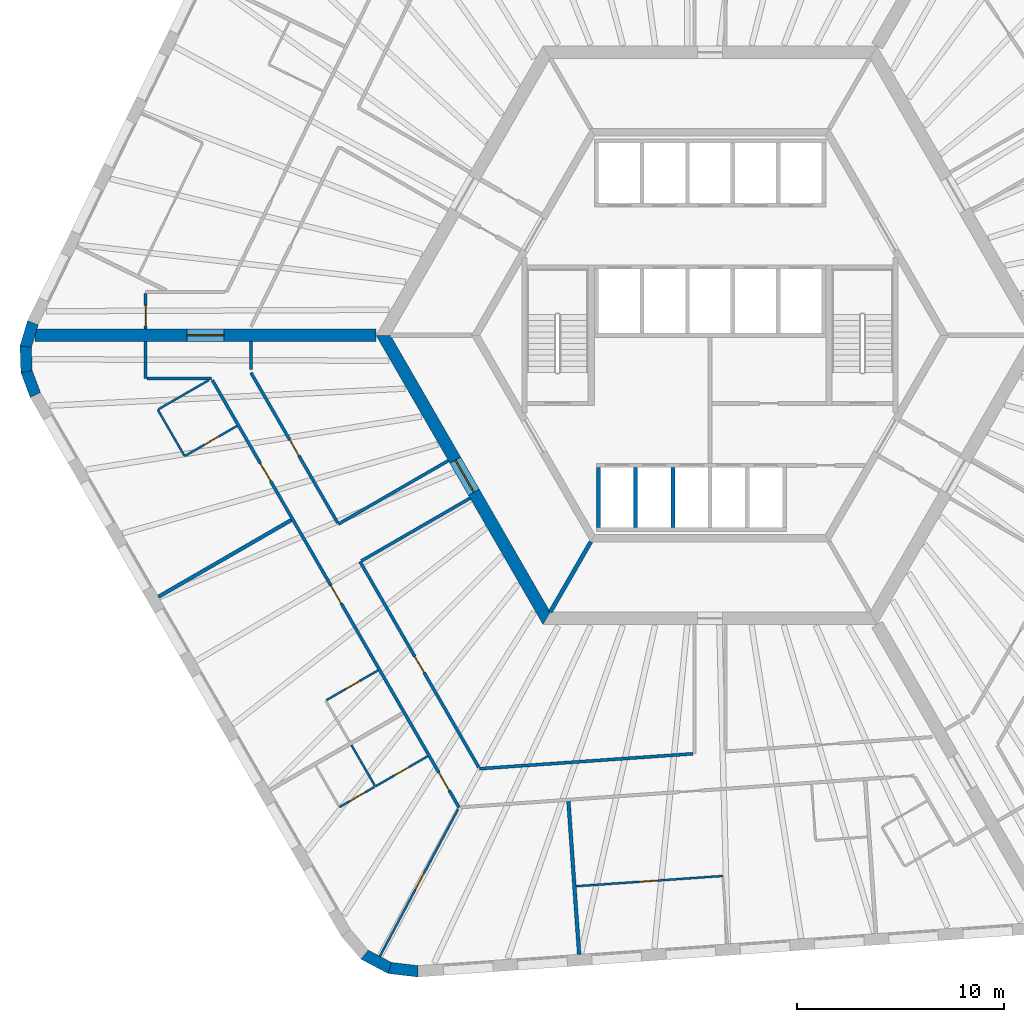
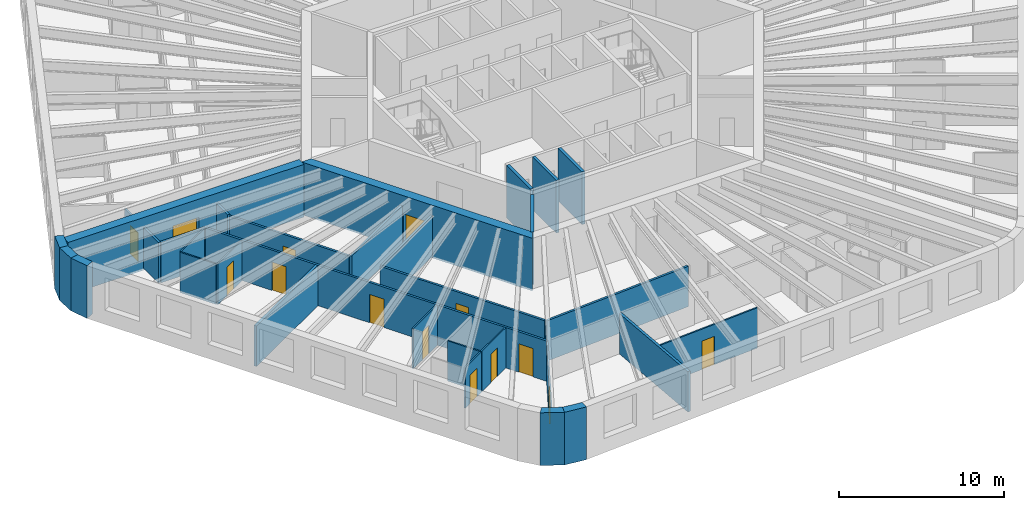
# One storey, part 3 of 12: 32 walls, 14 doors, 14 openings.
"""IFC4 building model written with IfcOpenShell, lengths in metres."""

from ifc_helpers import new_model, si_unit, direction, frame, frame_2d, origin, place, context, subcontext, project, spatial, polyline, rectangle, outline, extrude, material, layer, layer_set, type_object, element, fill, save


model = new_model("IFC4")

# Units and contexts
model_context = context("Model", 3, precision=1e-05, world=origin(), true_north=direction((0.0, 1.0)))
body_context = subcontext(model_context, "Body", "Model", "MODEL_VIEW")
ifc_project = project(units=[si_unit("LENGTHUNIT", "METRE"), si_unit("AREAUNIT", "SQUARE_METRE"), si_unit("VOLUMEUNIT", "CUBIC_METRE"), si_unit("PLANEANGLEUNIT", "RADIAN"), si_unit("MASSUNIT", "GRAM", prefix="KILO")], contexts=[model_context])

# Site, building, storey
site_placement = place(None, origin())
site = spatial("IfcSite", under=ifc_project, at=site_placement, CompositionType="ELEMENT")
building_placement = place(site_placement, origin())
building = spatial("IfcBuilding", under=site, at=building_placement, Name="Tarnside Tower", CompositionType="ELEMENT")
storey_placement = place(building_placement, frame((0.0, 0.0, 119.39990234375)))
storey = spatial("IfcBuildingStorey", under=building, at=storey_placement, Name="L27", CompositionType="ELEMENT", Elevation=119.39990234375)

# Wall, opening, door
ifc_material_1 = material(Name="Gypsum board partition on steel studs", Category="steel")
ifc_layer_1 = layer(ifc_material_1, 0.10009765625)
ifc_layer_set_1 = layer_set([ifc_layer_1], Name="Bathroom wall 100")
wall_type_1 = type_object("IfcWallType", Name="Bathroom wall 100", PredefinedType="PARTITIONING", material=ifc_layer_set_1)
wall_1_placement = place(storey_placement, frame((-22.898193359375, -4.38916015625, 0.0), z_axis=(0.0, 0.0, 1.0), x_axis=(-0.866046596414, -0.499963291492, 0.0)))
wall_1 = element("IfcWall", 1, at=wall_1_placement, inside=storey, type_object=wall_type_1, Name="Bathroom wall 08100", PredefinedType="PARTITIONING", context=body_context, shape_type="SweptSolid", body=[
    extrude(rectangle(XDim=2.925048828125, YDim=0.10009765625, at=frame_2d((1.46240234375, 0.0))), origin(), (0.0, 0.0, 1.0), 2.98779296875),
])
opening_1_placement = place(wall_1_placement, frame((1.02490234375, 0.0, 0.0)))
opening_1 = element("IfcOpeningElement", 2, at=opening_1_placement, cuts=wall_1, Name="Opening D-B1", PredefinedType="OPENING", context=body_context, shape_type="SweptSolid", body=[
    extrude(rectangle(XDim=0.800048828125, YDim=2.10009765625, at=frame_2d((0.39990234375, 1.050048828125))), frame((0.0, 0.06005859375, 0.0), z_axis=(0.0, -1.0, 0.0), x_axis=(1.0, 0.0, 0.0)), (0.0, 0.0, 1.0), 0.1201171875),
])
ifc_material_2 = material(Name="Timber door leaf", Category="wood")
door_type_1 = type_object("IfcDoorType", Name="Bathroom door 800", OperationType="NOTDEFINED", PredefinedType="DOOR", material=ifc_material_2)
door_1_placement = place(opening_1_placement, origin())
door_1 = element("IfcDoor", 3, at=door_1_placement, inside=storey, type_object=door_type_1, Name="Bathroom door 08016", OperationType="SINGLE_SWING_RIGHT", OverallHeight=2.10009765625, OverallWidth=0.800048828125, PredefinedType="DOOR", context=body_context, shape_type="SweptSolid", body=[
    extrude(rectangle(XDim=0.800048828125, YDim=2.10009765625, at=frame_2d((0.39990234375, 1.050048828125))), frame((0.0, 0.02490234375, 0.0), z_axis=(0.0, -1.0, 0.0), x_axis=(1.0, 0.0, 0.0)), (0.0, 0.0, 1.0), 0.050048828125),
])
fill(opening_1, door_1)

# Walls
wall_2_placement = place(storey_placement, frame((-25.456298828125, -5.808349609375, 0.0), z_axis=(0.0, 0.0, 1.0), x_axis=(-0.499990435942, 0.866030925526, 0.0)))
element("IfcWall", 4, at=wall_2_placement, inside=storey, type_object=wall_type_1, Name="Bathroom wall 08101", PredefinedType="PARTITIONING", context=body_context, shape_type="SweptSolid", body=[
    extrude(rectangle(XDim=2.5498046875, YDim=0.10009765625, at=frame_2d((1.27490234375, 0.0))), origin(), (0.0, 0.0, 1.0), 2.98779296875),
])
wall_3_placement = place(storey_placement, frame((-26.68798828125, -3.574951171875, 0.0), z_axis=(0.0, 0.0, 1.0), x_axis=(0.866034573852, 0.49998411664, 0.0)))
element("IfcWall", 5, at=wall_3_placement, inside=storey, type_object=wall_type_1, Name="Bathroom wall 08102", PredefinedType="PARTITIONING", context=body_context, shape_type="SweptSolid", body=[
    extrude(rectangle(XDim=2.7998046875, YDim=0.10009765625, at=frame_2d((1.39990234375, 0.0))), origin(), (0.0, 0.0, 1.0), 2.98779296875),
])

# Wall, opening, door
wall_4_placement = place(storey_placement, frame((-18.55859375, -17.65576171875, 0.0), z_axis=(0.0, 0.0, 1.0), x_axis=(0.866039941686, 0.499974818771, 0.0)))
wall_4 = element("IfcWall", 6, at=wall_4_placement, inside=storey, type_object=wall_type_1, Name="Bathroom wall 08105", PredefinedType="PARTITIONING", context=body_context, shape_type="SweptSolid", body=[
    extrude(rectangle(XDim=2.875244140625, YDim=0.10009765625, at=frame_2d((1.4375, 0.0))), origin(), (0.0, 0.0, 1.0), 2.98779296875),
])
opening_2_placement = place(wall_4_placement, frame((1.050048828125, 0.0, 0.0)))
opening_2 = element("IfcOpeningElement", 7, at=opening_2_placement, cuts=wall_4, Name="Opening D-B1", PredefinedType="OPENING", context=body_context, shape_type="SweptSolid", body=[
    extrude(rectangle(XDim=0.800048828125, YDim=2.10009765625, at=frame_2d((0.39990234375, 1.050048828125))), frame((0.0, 0.06005859375, 0.0), z_axis=(0.0, -1.0, 0.0), x_axis=(1.0, 0.0, 0.0)), (0.0, 0.0, 1.0), 0.1201171875),
])
door_2_placement = place(opening_2_placement, origin())
door_2 = element("IfcDoor", 8, at=door_2_placement, inside=storey, type_object=door_type_1, Name="Bathroom door 08018", OperationType="SINGLE_SWING_LEFT", OverallHeight=2.10009765625, OverallWidth=0.800048828125, PredefinedType="DOOR", context=body_context, shape_type="SweptSolid", body=[
    extrude(rectangle(XDim=0.800048828125, YDim=2.10009765625, at=frame_2d((0.39990234375, 1.050048828125))), frame((0.0, 0.02490234375, 0.0), z_axis=(0.0, -1.0, 0.0), x_axis=(1.0, 0.0, 0.0)), (0.0, 0.0, 1.0), 0.050048828125),
])
fill(opening_2, door_2)

wall_5_placement = place(storey_placement, frame((-13.668701171875, -20.375244140625, 0.0), z_axis=(0.0, 0.0, 1.0), x_axis=(-0.866046596414, -0.499963291492, 0.0)))
wall_5 = element("IfcWall", 9, at=wall_5_placement, inside=storey, type_object=wall_type_1, Name="Bathroom wall 08109", PredefinedType="PARTITIONING", context=body_context, shape_type="SweptSolid", body=[
    extrude(rectangle(XDim=2.925048828125, YDim=0.10009765625, at=frame_2d((1.46240234375, 0.0))), origin(), (0.0, 0.0, 1.0), 2.98779296875),
])
opening_3_placement = place(wall_5_placement, frame((1.02490234375, 0.0, 0.0)))
opening_3 = element("IfcOpeningElement", 10, at=opening_3_placement, cuts=wall_5, Name="Opening D-B1", PredefinedType="OPENING", context=body_context, shape_type="SweptSolid", body=[
    extrude(rectangle(XDim=0.800048828125, YDim=2.10009765625, at=frame_2d((0.39990234375, 1.050048828125))), frame((0.0, 0.06005859375, 0.0), z_axis=(0.0, -1.0, 0.0), x_axis=(1.0, 0.0, 0.0)), (0.0, 0.0, 1.0), 0.1201171875),
])
door_3_placement = place(opening_3_placement, origin())
door_3 = element("IfcDoor", 11, at=door_3_placement, inside=storey, type_object=door_type_1, Name="Bathroom door 08020", OperationType="SINGLE_SWING_RIGHT", OverallHeight=2.10009765625, OverallWidth=0.800048828125, PredefinedType="DOOR", context=body_context, shape_type="SweptSolid", body=[
    extrude(rectangle(XDim=0.800048828125, YDim=2.10009765625, at=frame_2d((0.39990234375, 1.050048828125))), frame((0.0, 0.02490234375, 0.0), z_axis=(0.0, -1.0, 0.0), x_axis=(1.0, 0.0, 0.0)), (0.0, 0.0, 1.0), 0.050048828125),
])
fill(opening_3, door_3)

# Wall
wall_6_placement = place(storey_placement, frame((-17.356689453125, -19.837158203125, 0.0), z_axis=(0.0, 0.0, 1.0), x_axis=(0.49995000081, -0.866054268906, 0.0)))
element("IfcWall", 12, at=wall_6_placement, inside=storey, type_object=wall_type_1, Name="Bathroom wall 08113", PredefinedType="PARTITIONING", context=body_context, shape_type="SweptSolid", body=[
    extrude(rectangle(XDim=2.260009765625, YDim=0.10009765625, at=frame_2d((1.1298828125, 0.0))), origin(), (0.0, 0.0, 1.0), 2.98779296875),
])

# Wall, opening, door
ifc_material_3 = material(Name="Concrete C80/95", Category="concrete")
ifc_layer_2 = layer(ifc_material_3, 0.60009765625)
ifc_layer_set_2 = layer_set([ifc_layer_2], Name="Core wall Z1 600 C80/95")
wall_type_2 = type_object("IfcWallType", Name="Core wall Z1 600 C80/95", PredefinedType="SHEAR", material=ifc_layer_set_2)
wall_7_placement = place(storey_placement, frame((-15.8193359375, 0.0, -0.14990234375), z_axis=(0.0, 0.0, 1.0), x_axis=(0.499999880136, -0.866025472988, 0.0)))
wall_7 = element("IfcWall", 13, at=wall_7_placement, inside=storey, type_object=wall_type_2, Name="L27 core wall face 3", PredefinedType="SHEAR", context=body_context, shape_type="SweptSolid", body=[
    extrude(outline(polyline([(-0.17333984375, -0.300048828125), (15.99267578125, -0.300048828125), (15.64599609375, 0.300048828125), (0.17333984375, 0.300048828125), (-0.17333984375, -0.300048828125)])), origin(), (0.0, 0.0, 1.0), 3.89990234375),
])
opening_4_placement = place(wall_7_placement, frame((6.980712890625, 0.0, 0.14990234375)))
opening_4 = element("IfcOpeningElement", 14, at=opening_4_placement, cuts=wall_7, Name="Opening CD-FFL", PredefinedType="OPENING", context=body_context, shape_type="SweptSolid", body=[
    extrude(rectangle(XDim=1.800048828125, YDim=2.39990234375, at=frame_2d((0.89990234375, 1.199951171875))), frame((0.0, 0.31005859375, 0.0), z_axis=(0.0, -1.0, 0.0), x_axis=(1.0, 0.0, 0.0)), (0.0, 0.0, 1.0), 0.6201171875),
])
ifc_material_4 = material(Name="Steel fire door", Category="steel")
door_type_2 = type_object("IfcDoorType", Name="Firefighting lobby double door FD60S 1800x2400", OperationType="NOTDEFINED", PredefinedType="DOOR", material=ifc_material_4)
door_4_placement = place(opening_4_placement, origin())
door_4 = element("IfcDoor", 15, at=door_4_placement, inside=storey, type_object=door_type_2, Name="L27 core door P3", OperationType="DOUBLE_DOOR_SINGLE_SWING", OverallHeight=2.39990234375, OverallWidth=1.800048828125, PredefinedType="DOOR", context=body_context, shape_type="SweptSolid", body=[
    extrude(rectangle(XDim=1.800048828125, YDim=2.39990234375, at=frame_2d((0.89990234375, 1.199951171875))), frame((0.0, 0.02490234375, 0.0), z_axis=(0.0, -1.0, 0.0), x_axis=(1.0, 0.0, 0.0)), (0.0, 0.0, 1.0), 0.050048828125),
])
fill(opening_4, door_4)

wall_8_placement = place(storey_placement, frame((-16.165771484375, 0.0, -0.14990234375), z_axis=(0.0, 0.0, 1.0), x_axis=(-1.0, 0.0, 0.0)))
wall_8 = element("IfcWall", 16, at=wall_8_placement, inside=storey, type_object=wall_type_2, Name="L27 spine wall 2", PredefinedType="SHEAR", context=body_context, shape_type="SweptSolid", body=[
    extrude(rectangle(XDim=16.509033203125, YDim=0.60009765625, at=frame_2d((8.25439453125, 0.0))), origin(), (0.0, 0.0, 1.0), 3.89990234375),
])
opening_5_placement = place(wall_8_placement, frame((7.3544921875, 0.0, 0.14990234375)))
opening_5 = element("IfcOpeningElement", 17, at=opening_5_placement, cuts=wall_8, Name="Opening CD-SPN", PredefinedType="OPENING", context=body_context, shape_type="SweptSolid", body=[
    extrude(rectangle(XDim=1.800048828125, YDim=2.39990234375, at=frame_2d((0.89990234375, 1.199951171875))), frame((0.0, 0.31005859375, 0.0), z_axis=(0.0, -1.0, 0.0), x_axis=(1.0, 0.0, 0.0)), (0.0, 0.0, 1.0), 0.6201171875),
])
door_type_3 = type_object("IfcDoorType", Name="Spine passage double door FD60 1800x2400", OperationType="NOTDEFINED", PredefinedType="DOOR", material=ifc_material_4)
door_5_placement = place(opening_5_placement, origin())
door_5 = element("IfcDoor", 18, at=door_5_placement, inside=storey, type_object=door_type_3, Name="L27 spine passage door 2", OperationType="DOUBLE_DOOR_SINGLE_SWING", OverallHeight=2.39990234375, OverallWidth=1.800048828125, PredefinedType="DOOR", context=body_context, shape_type="SweptSolid", body=[
    extrude(rectangle(XDim=1.800048828125, YDim=2.39990234375, at=frame_2d((0.89990234375, 1.199951171875))), frame((0.0, 0.02490234375, 0.0), z_axis=(0.0, -1.0, 0.0), x_axis=(1.0, 0.0, 0.0)), (0.0, 0.0, 1.0), 0.050048828125),
])
fill(opening_5, door_5)

ifc_layer_3 = layer(ifc_material_1, 0.14990234375)
ifc_layer_set_3 = layer_set([ifc_layer_3], Name="Corridor wall 150 EI 60")
wall_type_3 = type_object("IfcWallType", Name="Corridor wall 150 EI 60", PredefinedType="PARTITIONING", material=ifc_layer_set_3)
wall_9_placement = place(storey_placement, frame((-27.3203125, 2.02490234375, 0.0), z_axis=(0.0, 0.0, 1.0), x_axis=(0.0, -1.0, 0.0)))
wall_9 = element("IfcWall", 19, at=wall_9_placement, inside=storey, type_object=wall_type_3, Name="Corridor wall 08015", PredefinedType="PARTITIONING", context=body_context, shape_type="SweptSolid", body=[
    extrude(rectangle(XDim=1.724853515625, YDim=0.14990234375, at=frame_2d((0.8623046875, 0.0))), origin(), (0.0, 0.0, 1.0), 2.98779296875),
])
opening_6_placement = place(wall_9_placement, frame((0.574951171875, 0.0, 0.0)))
opening_6 = element("IfcOpeningElement", 20, at=opening_6_placement, cuts=wall_9, Name="Opening D-E1", PredefinedType="OPENING", context=body_context, shape_type="SweptSolid", body=[
    extrude(rectangle(XDim=1.0, YDim=2.10009765625, at=frame_2d((0.5, 1.050048828125))), frame((0.0, 0.0849609375, 0.0), z_axis=(0.0, -1.0, 0.0), x_axis=(1.0, 0.0, 0.0)), (0.0, 0.0, 1.0), 0.169921875),
])
door_type_4 = type_object("IfcDoorType", Name="Unit entrance door 1000 FD30S", OperationType="NOTDEFINED", PredefinedType="DOOR", material=ifc_material_2)
door_6_placement = place(opening_6_placement, origin())
door_6 = element("IfcDoor", 21, at=door_6_placement, inside=storey, type_object=door_type_4, Name="Unit door 08014", OperationType="SINGLE_SWING_LEFT", OverallHeight=2.10009765625, OverallWidth=1.0, PredefinedType="DOOR", context=body_context, shape_type="SweptSolid", body=[
    extrude(rectangle(XDim=1.0, YDim=2.10009765625, at=frame_2d((0.5, 1.050048828125))), frame((0.0, 0.02490234375, 0.0), z_axis=(0.0, -1.0, 0.0), x_axis=(1.0, 0.0, 0.0)), (0.0, 0.0, 1.0), 0.050048828125),
])
fill(opening_6, door_6)

# Walls
wall_10_placement = place(storey_placement, frame((-27.3203125, -0.300048828125, 0.0), z_axis=(0.0, 0.0, 1.0), x_axis=(0.0, -1.0, 0.0)))
element("IfcWall", 22, at=wall_10_placement, inside=storey, type_object=wall_type_3, Name="Corridor wall 08025", PredefinedType="PARTITIONING", context=body_context, shape_type="SweptSolid", body=[
    extrude(rectangle(XDim=1.800048828125, YDim=0.14990234375, at=frame_2d((0.89990234375, 0.0))), origin(), (0.0, 0.0, 1.0), 2.98779296875),
])
wall_11_placement = place(storey_placement, frame((-27.245361328125, -2.10009765625, 0.0), z_axis=(0.0, 0.0, 1.0), x_axis=(1.0, 0.0, 0.0)))
element("IfcWall", 23, at=wall_11_placement, inside=storey, type_object=wall_type_3, Name="Corridor wall 08026", PredefinedType="PARTITIONING", context=body_context, shape_type="SweptSolid", body=[
    extrude(rectangle(XDim=3.112060546875, YDim=0.14990234375, at=frame_2d((1.55615234375, 0.0))), origin(), (0.0, 0.0, 1.0), 2.98779296875),
])

# Wall, openings, doors
wall_12_placement = place(storey_placement, frame((-24.08984375, -2.175048828125, 0.0), z_axis=(0.0, 0.0, 1.0), x_axis=(0.499996832073, -0.86602723278, 0.0)))
wall_12 = element("IfcWall", 24, at=wall_12_placement, inside=storey, type_object=wall_type_3, Name="Corridor wall 08027", PredefinedType="PARTITIONING", context=body_context, shape_type="SweptSolid", body=[
    extrude(rectangle(XDim=23.877197265625, YDim=0.14990234375, at=frame_2d((11.9384765625, 0.0))), origin(), (0.0, 0.0, 1.0), 2.98779296875),
])
opening_7_placement = place(wall_12_placement, frame((4.642822265625, 0.0, 0.0)))
opening_7 = element("IfcOpeningElement", 25, at=opening_7_placement, cuts=wall_12, Name="Opening D-E1", PredefinedType="OPENING", context=body_context, shape_type="SweptSolid", body=[
    extrude(rectangle(XDim=1.0, YDim=2.10009765625, at=frame_2d((0.5, 1.050048828125))), frame((0.0, 0.0849609375, 0.0), z_axis=(0.0, -1.0, 0.0), x_axis=(1.0, 0.0, 0.0)), (0.0, 0.0, 1.0), 0.169921875),
])
opening_8_placement = place(wall_12_placement, frame((11.472412109375, 0.0, 0.0)))
opening_8 = element("IfcOpeningElement", 26, at=opening_8_placement, cuts=wall_12, Name="Opening D-E1", PredefinedType="OPENING", context=body_context, shape_type="SweptSolid", body=[
    extrude(rectangle(XDim=1.0, YDim=2.10009765625, at=frame_2d((0.5, 1.050048828125))), frame((0.0, 0.0849609375, 0.0), z_axis=(0.0, -1.0, 0.0), x_axis=(1.0, 0.0, 0.0)), (0.0, 0.0, 1.0), 0.169921875),
])
opening_9_placement = place(wall_12_placement, frame((21.9248046875, 0.0, 0.0)))
opening_9 = element("IfcOpeningElement", 27, at=opening_9_placement, cuts=wall_12, Name="Opening D-E1", PredefinedType="OPENING", context=body_context, shape_type="SweptSolid", body=[
    extrude(rectangle(XDim=1.0, YDim=2.10009765625, at=frame_2d((0.5, 1.050048828125))), frame((0.0, 0.0849609375, 0.0), z_axis=(0.0, -1.0, 0.0), x_axis=(1.0, 0.0, 0.0)), (0.0, 0.0, 1.0), 0.169921875),
])
door_7_placement = place(opening_7_placement, origin())
door_7 = element("IfcDoor", 28, at=door_7_placement, inside=storey, type_object=door_type_4, Name="Unit door 08015", OperationType="SINGLE_SWING_RIGHT", OverallHeight=2.10009765625, OverallWidth=1.0, PredefinedType="DOOR", context=body_context, shape_type="SweptSolid", body=[
    extrude(rectangle(XDim=1.0, YDim=2.10009765625, at=frame_2d((0.5, 1.050048828125))), frame((0.0, 0.02490234375, 0.0), z_axis=(0.0, -1.0, 0.0), x_axis=(1.0, 0.0, 0.0)), (0.0, 0.0, 1.0), 0.050048828125),
])
fill(opening_7, door_7)
door_8_placement = place(opening_8_placement, origin())
door_8 = element("IfcDoor", 29, at=door_8_placement, inside=storey, type_object=door_type_4, Name="Unit door 08017", OperationType="SINGLE_SWING_RIGHT", OverallHeight=2.10009765625, OverallWidth=1.0, PredefinedType="DOOR", context=body_context, shape_type="SweptSolid", body=[
    extrude(rectangle(XDim=1.0, YDim=2.10009765625, at=frame_2d((0.5, 1.050048828125))), frame((0.0, 0.02490234375, 0.0), z_axis=(0.0, -1.0, 0.0), x_axis=(1.0, 0.0, 0.0)), (0.0, 0.0, 1.0), 0.050048828125),
])
fill(opening_8, door_8)
door_9_placement = place(opening_9_placement, origin())
door_9 = element("IfcDoor", 30, at=door_9_placement, inside=storey, type_object=door_type_4, Name="Unit door 08019", OperationType="SINGLE_SWING_RIGHT", OverallHeight=2.10009765625, OverallWidth=1.0, PredefinedType="DOOR", context=body_context, shape_type="SweptSolid", body=[
    extrude(rectangle(XDim=1.0, YDim=2.10009765625, at=frame_2d((0.5, 1.050048828125))), frame((0.0, 0.02490234375, 0.0), z_axis=(0.0, -1.0, 0.0), x_axis=(1.0, 0.0, 0.0)), (0.0, 0.0, 1.0), 0.050048828125),
])
fill(opening_9, door_9)

# Wall
wall_13_placement = place(storey_placement, frame((-12.663818359375, -6.065673828125, 0.0), z_axis=(0.0, 0.0, 1.0), x_axis=(-0.866023618125, -0.500003092839, 0.0)))
element("IfcWall", 31, at=wall_13_placement, inside=storey, type_object=wall_type_3, Name="Corridor wall 08041", PredefinedType="PARTITIONING", context=body_context, shape_type="SweptSolid", body=[
    extrude(rectangle(XDim=6.14990234375, YDim=0.14990234375, at=frame_2d((3.074951171875, 0.0))), origin(), (0.0, 0.0, 1.0), 2.98779296875),
])

# Wall, opening, door
wall_14_placement = place(storey_placement, frame((-18.02734375, -9.07568359375, 0.0), z_axis=(0.0, 0.0, 1.0), x_axis=(-0.500007318041, 0.86602117867, 0.0)))
wall_14 = element("IfcWall", 32, at=wall_14_placement, inside=storey, type_object=wall_type_3, Name="Corridor wall 08042", PredefinedType="PARTITIONING", context=body_context, shape_type="SweptSolid", body=[
    extrude(rectangle(XDim=8.383056640625, YDim=0.14990234375, at=frame_2d((4.19140625, 0.0))), origin(), (0.0, 0.0, 1.0), 2.98779296875),
])
opening_10_placement = place(wall_14_placement, frame((3.74169921875, 0.0, 0.0)))
opening_10 = element("IfcOpeningElement", 33, at=opening_10_placement, cuts=wall_14, Name="Opening D-S1", PredefinedType="OPENING", context=body_context, shape_type="SweptSolid", body=[
    extrude(rectangle(XDim=0.89990234375, YDim=2.10009765625, at=frame_2d((0.449951171875, 1.050048828125))), frame((0.0, 0.0849609375, 0.0), z_axis=(0.0, -1.0, 0.0), x_axis=(1.0, 0.0, 0.0)), (0.0, 0.0, 1.0), 0.169921875),
])
door_type_5 = type_object("IfcDoorType", Name="Service room door 900 FD30S", OperationType="NOTDEFINED", PredefinedType="DOOR", material=ifc_material_2)
door_10_placement = place(opening_10_placement, origin())
door_10 = element("IfcDoor", 34, at=door_10_placement, inside=storey, type_object=door_type_5, Name="Service door 08043", OperationType="SINGLE_SWING_RIGHT", OverallHeight=2.10009765625, OverallWidth=0.89990234375, PredefinedType="DOOR", context=body_context, shape_type="SweptSolid", body=[
    extrude(rectangle(XDim=0.89990234375, YDim=2.10009765625, at=frame_2d((0.449951171875, 1.050048828125))), frame((0.0, 0.02490234375, 0.0), z_axis=(0.0, -1.0, 0.0), x_axis=(1.0, 0.0, 0.0)), (0.0, 0.0, 1.0), 0.050048828125),
])
fill(opening_10, door_10)

# Walls
wall_15_placement = place(storey_placement, frame((-22.218994140625, -1.665771484375, 0.0), z_axis=(0.0, 0.0, 1.0), x_axis=(0.0, 1.0, 0.0)))
element("IfcWall", 35, at=wall_15_placement, inside=storey, type_object=wall_type_3, Name="Corridor wall 08043", PredefinedType="PARTITIONING", context=body_context, shape_type="SweptSolid", body=[
    extrude(rectangle(XDim=1.36572265625, YDim=0.14990234375, at=frame_2d((0.682861328125, 0.0))), origin(), (0.0, 0.0, 1.0), 2.98779296875),
])
wall_16_placement = place(storey_placement, frame((-0.824951171875, -20.2568359375, 0.0), z_axis=(0.0, 0.0, 1.0), x_axis=(-0.9975635143, -0.069764137903, 0.0)))
element("IfcWall", 36, at=wall_16_placement, inside=storey, type_object=wall_type_3, Name="Corridor wall 08045", PredefinedType="PARTITIONING", context=body_context, shape_type="SweptSolid", body=[
    extrude(rectangle(XDim=10.35498046875, YDim=0.14990234375, at=frame_2d((5.177490234375, 0.0))), origin(), (0.0, 0.0, 1.0), 2.98779296875),
])

# Wall, opening, door
wall_17_placement = place(storey_placement, frame((-11.196533203125, -20.906982421875, 0.0), z_axis=(0.0, 0.0, 1.0), x_axis=(-0.500004557924, 0.86602277225, 0.0)))
wall_17 = element("IfcWall", 37, at=wall_17_placement, inside=storey, type_object=wall_type_3, Name="Corridor wall 08046", PredefinedType="PARTITIONING", context=body_context, shape_type="SweptSolid", body=[
    extrude(rectangle(XDim=11.48681640625, YDim=0.14990234375, at=frame_2d((5.743408203125, 0.0))), origin(), (0.0, 0.0, 1.0), 2.98779296875),
])
opening_11_placement = place(wall_17_placement, frame((5.293212890625, 0.0, 0.0)))
opening_11 = element("IfcOpeningElement", 38, at=opening_11_placement, cuts=wall_17, Name="Opening D-S1", PredefinedType="OPENING", context=body_context, shape_type="SweptSolid", body=[
    extrude(rectangle(XDim=0.89990234375, YDim=2.10009765625, at=frame_2d((0.449951171875, 1.050048828125))), frame((0.0, 0.0849609375, 0.0), z_axis=(0.0, -1.0, 0.0), x_axis=(1.0, 0.0, 0.0)), (0.0, 0.0, 1.0), 0.169921875),
])
door_11_placement = place(opening_11_placement, origin())
door_11 = element("IfcDoor", 39, at=door_11_placement, inside=storey, type_object=door_type_5, Name="Service door 08044", OperationType="SINGLE_SWING_RIGHT", OverallHeight=2.10009765625, OverallWidth=0.89990234375, PredefinedType="DOOR", context=body_context, shape_type="SweptSolid", body=[
    extrude(rectangle(XDim=0.89990234375, YDim=2.10009765625, at=frame_2d((0.449951171875, 1.050048828125))), frame((0.0, 0.02490234375, 0.0), z_axis=(0.0, -1.0, 0.0), x_axis=(1.0, 0.0, 0.0)), (0.0, 0.0, 1.0), 0.050048828125),
])
fill(opening_11, door_11)

# Walls
wall_18_placement = place(storey_placement, frame((-16.875, -10.921875, 0.0), z_axis=(0.0, 0.0, 1.0), x_axis=(0.866023634079, 0.500003065207, 0.0)))
element("IfcWall", 40, at=wall_18_placement, inside=storey, type_object=wall_type_3, Name="Corridor wall 08047", PredefinedType="PARTITIONING", context=body_context, shape_type="SweptSolid", body=[
    extrude(rectangle(XDim=6.0751953125, YDim=0.14990234375, at=frame_2d((3.03759765625, 0.0))), origin(), (0.0, 0.0, 1.0), 2.98779296875),
])
ifc_layer_4 = layer(ifc_material_1, 0.179931640625)
ifc_layer_set_4 = layer_set([ifc_layer_4], Name="Demising wall 180 EI 60")
wall_type_4 = type_object("IfcWallType", Name="Demising wall 180 EI 60", PredefinedType="PARTITIONING", material=ifc_layer_set_4)
wall_19_placement = place(storey_placement, frame((-26.698974609375, -12.656005859375, 0.0), z_axis=(0.0, 0.0, 1.0), x_axis=(0.866028983062, 0.499993800457, 0.0)))
element("IfcWall", 41, at=wall_19_placement, inside=storey, type_object=wall_type_4, Name="Demising wall 08103", PredefinedType="PARTITIONING", context=body_context, shape_type="SweptSolid", body=[
    extrude(rectangle(XDim=7.4248046875, YDim=0.179931640625, at=frame_2d((3.71240234375, 0.0))), origin(), (0.0, 0.0, 1.0), 2.98779296875),
])
wall_20_placement = place(storey_placement, frame((-6.336181640625, -29.965087890625, 0.0), z_axis=(0.0, 0.0, 1.0), x_axis=(-0.06977252161, 0.997562927954, 0.0)))
element("IfcWall", 42, at=wall_20_placement, inside=storey, type_object=wall_type_4, Name="Demising wall 08114", PredefinedType="PARTITIONING", context=body_context, shape_type="SweptSolid", body=[
    extrude(rectangle(XDim=7.425048828125, YDim=0.179931640625, at=frame_2d((3.71240234375, 0.0))), origin(), (0.0, 0.0, 1.0), 2.98779296875),
])
ifc_material_5 = material(Name="Concrete C40/50", Category="concrete")
ifc_layer_5 = layer(ifc_material_5, 0.199951171875)
ifc_layer_set_5 = layer_set([ifc_layer_5], Name="Lift shaft wall 200 C40/50")
wall_type_5 = type_object("IfcWallType", Name="Lift shaft wall 200 C40/50", PredefinedType="SHEAR", material=ifc_layer_set_5)
for number, where, z_axis, x_axis, name in (
    (43, (-5.39990234375, -9.300048828125, -0.25), (0.0, 0.0, 1.0), (0.0, 1.0, 0.0), "L27 lift shaft partition R41"),
    (44, (-3.60009765625, -9.300048828125, -0.25), (0.0, 0.0, 1.0), (0.0, 1.0, 0.0), "L27 lift shaft partition R42"),
    (45, (-1.800048828125, -9.300048828125, -0.25), (0.0, 0.0, 1.0), (0.0, 1.0, 0.0), "L27 lift shaft partition R43"),
):
    element("IfcWall", number, at=place(storey_placement, frame(where, z_axis=z_axis, x_axis=x_axis)), inside=storey, type_object=wall_type_5, Name=name, PredefinedType="SHEAR", context=body_context, shape_type="SweptSolid", body=[
        extrude(rectangle(XDim=2.900146484375, YDim=0.199951171875, at=frame_2d((1.4501953125, 0.0))), origin(), (0.0, 0.0, 1.0), 3.900146484375),
    ])
wall_21_placement = place(storey_placement, frame((-5.7734375, -10.0, -0.14990234375), z_axis=(0.0, 0.0, 1.0), x_axis=(-0.500038251005, -0.86600331843, 0.0)))
element("IfcWall", 46, at=wall_21_placement, inside=storey, type_object=wall_type_5, Name="L27 core partition AR240", PredefinedType="SHEAR", context=body_context, shape_type="SweptSolid", body=[
    extrude(rectangle(XDim=3.926025390625, YDim=0.199951171875, at=frame_2d((1.962890625, 0.0))), origin(), (0.0, 0.0, 1.0), 3.89990234375),
])

# Wall, opening, door
ifc_layer_6 = layer(ifc_material_1, 0.10009765625)
ifc_layer_set_6 = layer_set([ifc_layer_6], Name="Partition 100")
wall_type_6 = type_object("IfcWallType", Name="Partition 100", PredefinedType="PARTITIONING", material=ifc_layer_set_6)
wall_22_placement = place(storey_placement, frame((-16.2451171875, -21.862548828125, 0.0), z_axis=(0.0, 0.0, 1.0), x_axis=(-0.866000020948, -0.500043961785, 0.0)))
wall_22 = element("IfcWall", 47, at=wall_22_placement, inside=storey, type_object=wall_type_6, Name="Partition wall 08110", PredefinedType="PARTITIONING", context=body_context, shape_type="SweptSolid", body=[
    extrude(rectangle(XDim=1.949951171875, YDim=0.10009765625, at=frame_2d((0.97509765625, 0.0))), origin(), (0.0, 0.0, 1.0), 2.98779296875),
])
opening_12_placement = place(wall_22_placement, frame((0.5, 0.0, 0.0)))
opening_12 = element("IfcOpeningElement", 48, at=opening_12_placement, cuts=wall_22, Name="Opening D-I1", PredefinedType="OPENING", context=body_context, shape_type="SweptSolid", body=[
    extrude(rectangle(XDim=0.89990234375, YDim=2.10009765625, at=frame_2d((0.449951171875, 1.050048828125))), frame((0.0, 0.06005859375, 0.0), z_axis=(0.0, -1.0, 0.0), x_axis=(1.0, 0.0, 0.0)), (0.0, 0.0, 1.0), 0.1201171875),
])
door_type_6 = type_object("IfcDoorType", Name="Internal door 900", OperationType="NOTDEFINED", PredefinedType="DOOR", material=ifc_material_2)
door_12_placement = place(opening_12_placement, origin())
door_12 = element("IfcDoor", 49, at=door_12_placement, inside=storey, type_object=door_type_6, Name="Internal door 08021", OperationType="SINGLE_SWING_RIGHT", OverallHeight=2.10009765625, OverallWidth=0.89990234375, PredefinedType="DOOR", context=body_context, shape_type="SweptSolid", body=[
    extrude(rectangle(XDim=0.89990234375, YDim=2.10009765625, at=frame_2d((0.449951171875, 1.050048828125))), frame((0.0, 0.02490234375, 0.0), z_axis=(0.0, -1.0, 0.0), x_axis=(1.0, 0.0, 0.0)), (0.0, 0.0, 1.0), 0.050048828125),
])
fill(opening_12, door_12)

wall_23_placement = place(storey_placement, frame((-15.98291015625, -30.059326171875, 0.0), z_axis=(0.0, 0.0, 1.0), x_axis=(0.469476547643, 0.882944942346, 0.0)))
wall_23 = element("IfcWall", 50, at=wall_23_placement, inside=storey, type_object=wall_type_6, Name="Partition wall 08112", PredefinedType="PARTITIONING", context=body_context, shape_type="SweptSolid", body=[
    extrude(rectangle(XDim=8.072998046875, YDim=0.10009765625, at=frame_2d((4.03662109375, 0.0))), origin(), (0.0, 0.0, 1.0), 2.98779296875),
])
opening_13_placement = place(wall_23_placement, frame((3.630615234375, 0.0, 0.0)))
opening_13 = element("IfcOpeningElement", 51, at=opening_13_placement, cuts=wall_23, Name="Opening D-I1", PredefinedType="OPENING", context=body_context, shape_type="SweptSolid", body=[
    extrude(rectangle(XDim=0.89990234375, YDim=2.10009765625, at=frame_2d((0.449951171875, 1.050048828125))), frame((0.0, 0.06005859375, 0.0), z_axis=(0.0, -1.0, 0.0), x_axis=(1.0, 0.0, 0.0)), (0.0, 0.0, 1.0), 0.1201171875),
])
door_13_placement = place(opening_13_placement, origin())
door_13 = element("IfcDoor", 52, at=door_13_placement, inside=storey, type_object=door_type_6, Name="Internal door 08022", OperationType="SINGLE_SWING_LEFT", OverallHeight=2.10009765625, OverallWidth=0.89990234375, PredefinedType="DOOR", context=body_context, shape_type="SweptSolid", body=[
    extrude(rectangle(XDim=0.89990234375, YDim=2.10009765625, at=frame_2d((0.449951171875, 1.050048828125))), frame((0.0, 0.02490234375, 0.0), z_axis=(0.0, -1.0, 0.0), x_axis=(1.0, 0.0, 0.0)), (0.0, 0.0, 1.0), 0.050048828125),
])
fill(opening_13, door_13)

wall_24_placement = place(storey_placement, frame((-6.476806640625, -26.666748046875, 0.0), z_axis=(0.0, 0.0, 1.0), x_axis=(0.997565277642, 0.069738919141, 0.0)))
wall_24 = element("IfcWall", 53, at=wall_24_placement, inside=storey, type_object=wall_type_6, Name="Partition wall 08118", PredefinedType="PARTITIONING", context=body_context, shape_type="SweptSolid", body=[
    extrude(rectangle(XDim=7.110107421875, YDim=0.10009765625, at=frame_2d((3.55517578125, 0.0))), origin(), (0.0, 0.0, 1.0), 2.98779296875),
])
opening_14_placement = place(wall_24_placement, frame((3.06005859375, 0.0, 0.0)))
opening_14 = element("IfcOpeningElement", 54, at=opening_14_placement, cuts=wall_24, Name="Opening D-I1", PredefinedType="OPENING", context=body_context, shape_type="SweptSolid", body=[
    extrude(rectangle(XDim=0.89990234375, YDim=2.10009765625, at=frame_2d((0.449951171875, 1.050048828125))), frame((0.0, 0.06005859375, 0.0), z_axis=(0.0, -1.0, 0.0), x_axis=(1.0, 0.0, 0.0)), (0.0, 0.0, 1.0), 0.1201171875),
])
door_14_placement = place(opening_14_placement, origin())
door_14 = element("IfcDoor", 55, at=door_14_placement, inside=storey, type_object=door_type_6, Name="Internal door 08025", OperationType="SINGLE_SWING_RIGHT", OverallHeight=2.10009765625, OverallWidth=0.89990234375, PredefinedType="DOOR", context=body_context, shape_type="SweptSolid", body=[
    extrude(rectangle(XDim=0.89990234375, YDim=2.10009765625, at=frame_2d((0.449951171875, 1.050048828125))), frame((0.0, 0.02490234375, 0.0), z_axis=(0.0, -1.0, 0.0), x_axis=(1.0, 0.0, 0.0)), (0.0, 0.0, 1.0), 0.050048828125),
])
fill(opening_14, door_14)

# Walls
ifc_material_6 = material(Name="Facing brick", Category="masonry")
ifc_layer_7 = layer(ifc_material_6, 0.10205078125)
ifc_material_7 = material(Name="Concrete C60/75 precast", Category="concrete")
ifc_layer_8 = layer(ifc_material_7, 0.347900390625)
ifc_material_8 = material(Name="Mineral wool insulation")
ifc_layer_9 = layer(ifc_material_8, 0.10009765625)
ifc_layer_set_7 = layer_set([ifc_layer_7, ifc_layer_8, ifc_layer_9], Name="Tube wall 550 brick faced")
wall_type_7 = type_object("IfcWallType", Name="Tube wall 550 brick faced", PredefinedType="SOLIDWALL", material=ifc_layer_set_7)
wall_25_placement = place(storey_placement, frame((-32.77685546875, 0.605224609375, -0.14990234375), z_axis=(0.0, 0.0, 1.0), x_axis=(-0.286921497463, -0.957954098219, 0.0)))
element("IfcWall", 56, at=wall_25_placement, inside=storey, type_object=wall_type_7, Name="Tube wall L27 F2 chord 05", PredefinedType="SOLIDWALL", context=body_context, shape_type="SweptSolid", body=[
    extrude(outline(polyline([(-0.0224609375, -0.27490234375), (1.25341796875, -0.27490234375), (1.1630859375, 0.27490234375), (0.0224609375, 0.27490234375), (-0.0224609375, -0.27490234375)])), origin(), (0.0, 0.0, 1.0), 3.89990234375),
])
wall_26_placement = place(storey_placement, frame((-33.12353515625, -0.55224609375, -0.14990234375), z_axis=(0.0, 0.0, 1.0), x_axis=(0.03495638276, -0.999388838893, 0.0)))
element("IfcWall", 57, at=wall_26_placement, inside=storey, type_object=wall_type_7, Name="Tube wall L27 F2 chord 06", PredefinedType="SOLIDWALL", context=body_context, shape_type="SweptSolid", body=[
    extrude(outline(polyline([(-0.045166015625, -0.27490234375), (1.25341796875, -0.27490234375), (1.1630859375, 0.27490234375), (0.045166015625, 0.27490234375), (-0.045166015625, -0.27490234375)])), origin(), (0.0, 0.0, 1.0), 3.89990234375),
])
wall_27_placement = place(storey_placement, frame((-33.081298828125, -1.759765625, -0.14990234375), z_axis=(0.0, 0.0, 1.0), x_axis=(0.353027214741, -0.935613053378, 0.0)))
element("IfcWall", 58, at=wall_27_placement, inside=storey, type_object=wall_type_7, Name="Tube wall L27 F2 chord 07", PredefinedType="SOLIDWALL", context=body_context, shape_type="SweptSolid", body=[
    extrude(outline(polyline([(-0.045166015625, -0.27490234375), (1.230712890625, -0.27490234375), (1.185791015625, 0.27490234375), (0.045166015625, 0.27490234375), (-0.045166015625, -0.27490234375)])), origin(), (0.0, 0.0, 1.0), 3.89990234375),
])
wall_28_placement = place(storey_placement, frame((-16.720703125, -29.978515625, -0.14990234375), z_axis=(0.0, 0.0, 1.0), x_axis=(0.882994189209, -0.469383917304, 0.0)))
element("IfcWall", 59, at=wall_28_placement, inside=storey, type_object=wall_type_7, Name="Tube wall L27 F3 chord 10", PredefinedType="SOLIDWALL", context=body_context, shape_type="SweptSolid", body=[
    extrude(outline(polyline([(-0.0517578125, -0.27490234375), (1.4306640625, -0.27490234375), (1.3271484375, 0.27490234375), (0.0517578125, 0.27490234375), (-0.0517578125, -0.27490234375)])), origin(), (0.0, 0.0, 1.0), 3.89990234375),
])
wall_29_placement = place(storey_placement, frame((-15.503173828125, -30.625732421875, -0.14990234375), z_axis=(0.0, 0.0, 1.0), x_axis=(0.993232537394, -0.11614269956, 0.0)))
element("IfcWall", 60, at=wall_29_placement, inside=storey, type_object=wall_type_7, Name="Tube wall L27 F3 chord 11", PredefinedType="SOLIDWALL", context=body_context, shape_type="SweptSolid", body=[
    extrude(outline(polyline([(-0.0517578125, -0.27490234375), (1.404541015625, -0.27490234375), (1.353271484375, 0.27490234375), (0.0517578125, 0.27490234375), (-0.0517578125, -0.27490234375)])), origin(), (0.0, 0.0, 1.0), 3.89990234375),
])

save(model, "model.ifc")
